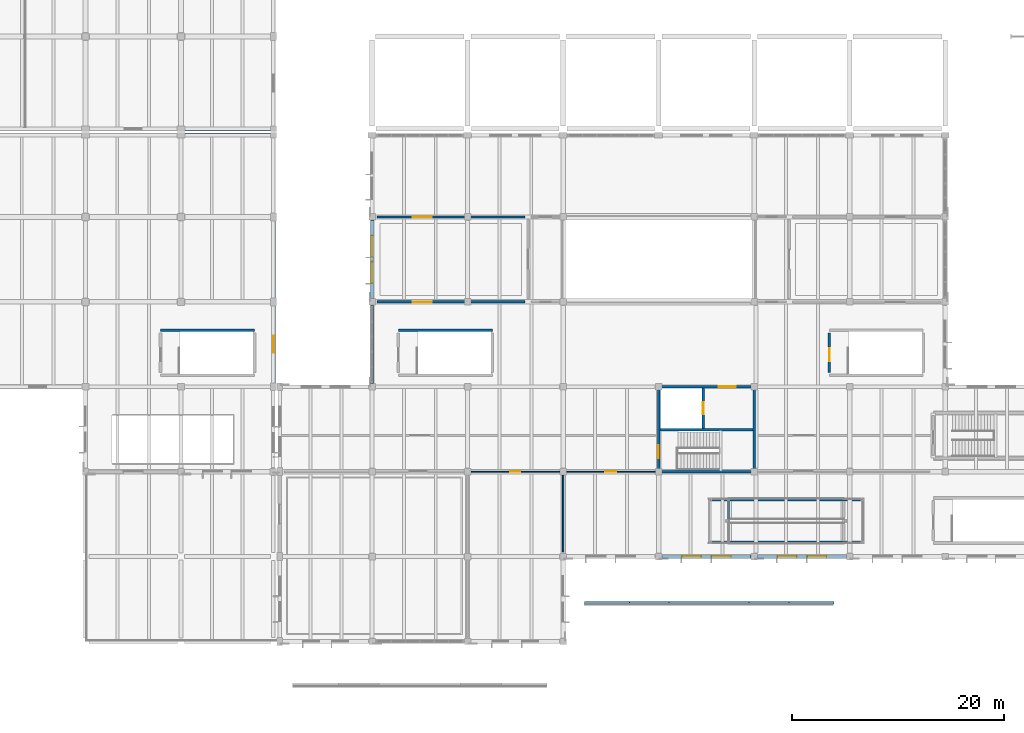
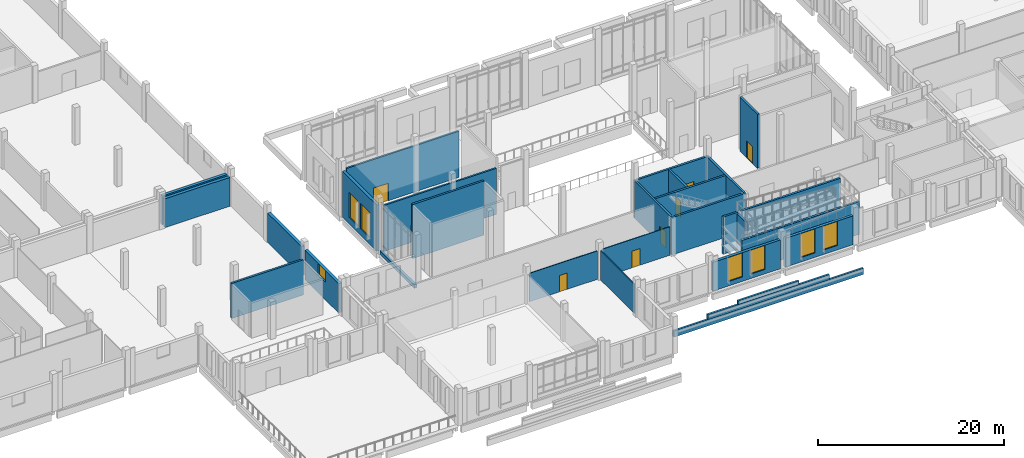
# One storey, part 78 of 110: 28 walls, 8 doors, 7 windows, 15 openings.
"""IFC4 building model written with IfcOpenShell, lengths in metres."""

from ifc_helpers import new_model, si_unit, direction, frame, frame_2d, origin, place, context, subcontext, project, spatial, rectangle, extrude, material, layer, layer_set, type_object, element, fill, save


model = new_model("IFC4")

# Units and contexts
model_context = context("Model", 3, precision=1e-05, world=origin(), true_north=direction((0.0, 1.0)))
body_context = subcontext(model_context, "Body", "Model", "MODEL_VIEW")
ifc_project = project(units=[si_unit("LENGTHUNIT", "METRE"), si_unit("AREAUNIT", "SQUARE_METRE"), si_unit("VOLUMEUNIT", "CUBIC_METRE"), si_unit("PLANEANGLEUNIT", "RADIAN"), si_unit("MASSUNIT", "GRAM", prefix="KILO")], contexts=[model_context])

# Site, building, storey
site_placement = place(None, origin())
site = spatial("IfcSite", under=ifc_project, at=site_placement, CompositionType="ELEMENT")
building_placement = place(site_placement, origin())
building = spatial("IfcBuilding", under=site, at=building_placement, Name="Zacnel Wholesale Market", CompositionType="ELEMENT")
storey_placement = place(building_placement, frame((0.0, 0.0, 6.300048828125)))
storey = spatial("IfcBuildingStorey", under=building, at=storey_placement, Name="L02", CompositionType="ELEMENT", Elevation=6.300048828125)

# Wall, opening, door
ifc_material_1 = material(Name="PIR insulated cold-store panel")
ifc_layer_1 = layer(ifc_material_1, 0.2099609375)
ifc_layer_set_1 = layer_set([ifc_layer_1], Name="PIR insulated cold-store panel")
wall_type_1 = type_object("IfcWallType", Name="WL-COLD-INT210", PredefinedType="STANDARD", material=ifc_layer_set_1)
wall_1_placement = place(storey_placement, frame((81.449951171875, 32.0, 0.0), z_axis=(0.0, 0.0, 1.0), x_axis=(1.0, 0.0, 0.0)))
wall_1 = element("IfcWall", 1, at=wall_1_placement, inside=storey, type_object=wall_type_1, Name="Interior partition L02-0093", PredefinedType="STANDARD", context=body_context, shape_type="SweptSolid", body=[
    extrude(rectangle(XDim=13.949951171875, YDim=0.2099609375, at=frame_2d((6.97509765625, 0.0))), origin(), (0.0, 0.0, 1.0), 6.0400390625),
])
opening_1_placement = place(wall_1_placement, frame((3.375, 0.0, 0.0)))
opening_1 = element("IfcOpeningElement", 2, at=opening_1_placement, cuts=wall_1, Name="Opening FD-03", PredefinedType="OPENING", context=body_context, shape_type="SweptSolid", body=[
    extrude(rectangle(XDim=1.800048828125, YDim=2.300048828125, at=frame_2d((0.89990234375, 1.14990234375))), frame((0.0, 0.114990234375, 0.0), z_axis=(0.0, -1.0, 0.0), x_axis=(1.0, 0.0, 0.0)), (0.0, 0.0, 1.0), 0.22998046875),
])
ifc_material_2 = material(Name="Galvanized steel", Category="steel")
door_type_1 = type_object("IfcDoorType", Name="DR-FIRE-COMP-1800", OperationType="NOTDEFINED", PredefinedType="DOOR", material=ifc_material_2)
door_1_placement = place(opening_1_placement, origin())
door_1 = element("IfcDoor", 3, at=door_1_placement, inside=storey, type_object=door_type_1, Name="Interior door L02-0073", OperationType="SINGLE_SWING_LEFT", OverallHeight=2.300048828125, OverallWidth=1.800048828125, PredefinedType="DOOR", context=body_context, shape_type="SweptSolid", body=[
    extrude(rectangle(XDim=1.800048828125, YDim=2.300048828125, at=frame_2d((0.89990234375, 1.14990234375))), frame((0.0, 0.02490234375, 0.0), z_axis=(0.0, -1.0, 0.0), x_axis=(1.0, 0.0, 0.0)), (0.0, 0.0, 1.0), 0.050048828125),
])
fill(opening_1, door_1)

wall_2_placement = place(storey_placement, frame((81.449951171875, 40.0, 0.0), z_axis=(0.0, 0.0, 1.0), x_axis=(1.0, 0.0, 0.0)))
wall_2 = element("IfcWall", 4, at=wall_2_placement, inside=storey, type_object=wall_type_1, Name="Interior partition L02-0097", PredefinedType="STANDARD", context=body_context, shape_type="SweptSolid", body=[
    extrude(rectangle(XDim=13.949951171875, YDim=0.2099609375, at=frame_2d((6.97509765625, 0.0))), origin(), (0.0, 0.0, 1.0), 6.0400390625),
])
opening_2_placement = place(wall_2_placement, frame((3.375, 0.0, 0.0)))
opening_2 = element("IfcOpeningElement", 5, at=opening_2_placement, cuts=wall_2, Name="Opening FD-03", PredefinedType="OPENING", context=body_context, shape_type="SweptSolid", body=[
    extrude(rectangle(XDim=1.800048828125, YDim=2.300048828125, at=frame_2d((0.89990234375, 1.14990234375))), frame((0.0, 0.114990234375, 0.0), z_axis=(0.0, -1.0, 0.0), x_axis=(1.0, 0.0, 0.0)), (0.0, 0.0, 1.0), 0.22998046875),
])
door_2_placement = place(opening_2_placement, origin())
door_2 = element("IfcDoor", 6, at=door_2_placement, inside=storey, type_object=door_type_1, Name="Interior door L02-0077", OperationType="SINGLE_SWING_LEFT", OverallHeight=2.300048828125, OverallWidth=1.800048828125, PredefinedType="DOOR", context=body_context, shape_type="SweptSolid", body=[
    extrude(rectangle(XDim=1.800048828125, YDim=2.300048828125, at=frame_2d((0.89990234375, 1.14990234375))), frame((0.0, 0.02490234375, 0.0), z_axis=(0.0, -1.0, 0.0), x_axis=(1.0, 0.0, 0.0)), (0.0, 0.0, 1.0), 0.050048828125),
])
fill(opening_2, door_2)

# Wall
ifc_material_3 = material(Name="Concrete C40/50", Category="concrete")
ifc_layer_2 = layer(ifc_material_3, 0.25)
ifc_layer_set_2 = layer_set([ifc_layer_2], Name="Concrete C40/50")
wall_type_2 = type_object("IfcWallType", Name="WL-CORE-SW250", PredefinedType="SOLIDWALL", material=ifc_layer_set_2)
wall_3_placement = place(storey_placement, frame((107.875, 16.0, 0.0), z_axis=(0.0, 0.0, 1.0), x_axis=(1.0, 0.0, 0.0)))
element("IfcWall", 7, at=wall_3_placement, inside=storey, type_object=wall_type_2, Name="Core C8 south shear wall L02", PredefinedType="SOLIDWALL", context=body_context, shape_type="SweptSolid", body=[
    extrude(rectangle(XDim=9.25, YDim=0.25, at=frame_2d((4.625, 0.0))), origin(), (0.0, 0.0, 1.0), 4.89990234375),
])

# Wall, opening, door
wall_4_placement = place(storey_placement, frame((107.875, 24.0, 0.0), z_axis=(0.0, 0.0, 1.0), x_axis=(1.0, 0.0, 0.0)))
wall_4 = element("IfcWall", 8, at=wall_4_placement, inside=storey, type_object=wall_type_2, Name="Core C8 north shear wall L02", PredefinedType="SOLIDWALL", context=body_context, shape_type="SweptSolid", body=[
    extrude(rectangle(XDim=9.25, YDim=0.25, at=frame_2d((4.625, 0.0))), origin(), (0.0, 0.0, 1.0), 4.89990234375),
])
opening_3_placement = place(wall_4_placement, frame((5.77490234375, 0.0, 0.0)))
opening_3 = element("IfcOpeningElement", 9, at=opening_3_placement, cuts=wall_4, Name="Opening FD-02", PredefinedType="OPENING", context=body_context, shape_type="SweptSolid", body=[
    extrude(rectangle(XDim=1.60009765625, YDim=2.199951171875, at=frame_2d((0.800048828125, 1.10009765625))), frame((0.0, 0.135009765625, 0.0), z_axis=(0.0, -1.0, 0.0), x_axis=(1.0, 0.0, 0.0)), (0.0, 0.0, 1.0), 0.27001953125),
])
ifc_material_4 = material(Name="Galvanized steel", Category="steel")
door_type_2 = type_object("IfcDoorType", Name="DR-FIRE-LOBBY-1600", OperationType="NOTDEFINED", PredefinedType="DOOR", material=ifc_material_4)
door_3_placement = place(opening_3_placement, origin())
door_3 = element("IfcDoor", 10, at=door_3_placement, inside=storey, type_object=door_type_2, Name="Core lift lobby fire door C8 L02", OperationType="SINGLE_SWING_LEFT", OverallHeight=2.199951171875, OverallWidth=1.60009765625, PredefinedType="DOOR", context=body_context, shape_type="SweptSolid", body=[
    extrude(rectangle(XDim=1.60009765625, YDim=2.199951171875, at=frame_2d((0.800048828125, 1.10009765625))), frame((0.0, 0.02490234375, 0.0), z_axis=(0.0, -1.0, 0.0), x_axis=(1.0, 0.0, 0.0)), (0.0, 0.0, 1.0), 0.050048828125),
])
fill(opening_3, door_3)

wall_5_placement = place(storey_placement, frame((108.0, 16.125, 0.0), z_axis=(0.0, 0.0, 1.0), x_axis=(0.0, 1.0, 0.0)))
wall_5 = element("IfcWall", 11, at=wall_5_placement, inside=storey, type_object=wall_type_2, Name="Core C8 west shear wall L02", PredefinedType="SOLIDWALL", context=body_context, shape_type="SweptSolid", body=[
    extrude(rectangle(XDim=7.75, YDim=0.25, at=frame_2d((3.875, 0.0))), origin(), (0.0, 0.0, 1.0), 4.89990234375),
])
opening_4_placement = place(wall_5_placement, frame((1.14990234375, 0.0, 0.0)))
opening_4 = element("IfcOpeningElement", 12, at=opening_4_placement, cuts=wall_5, Name="Opening FD-01", PredefinedType="OPENING", context=body_context, shape_type="SweptSolid", body=[
    extrude(rectangle(XDim=1.199951171875, YDim=2.199951171875, at=frame_2d((0.60009765625, 1.10009765625))), frame((0.0, 0.135009765625, 0.0), z_axis=(0.0, -1.0, 0.0), x_axis=(1.0, 0.0, 0.0)), (0.0, 0.0, 1.0), 0.27001953125),
])
ifc_material_5 = material(Name="Galvanized steel", Category="steel")
door_type_3 = type_object("IfcDoorType", Name="DR-FIRE-STAIR-1200", OperationType="NOTDEFINED", PredefinedType="DOOR", material=ifc_material_5)
door_4_placement = place(opening_4_placement, origin())
door_4 = element("IfcDoor", 13, at=door_4_placement, inside=storey, type_object=door_type_3, Name="Protected stair fire door C8 L02", OperationType="SINGLE_SWING_RIGHT", OverallHeight=2.199951171875, OverallWidth=1.199951171875, PredefinedType="DOOR", context=body_context, shape_type="SweptSolid", body=[
    extrude(rectangle(XDim=1.199951171875, YDim=2.199951171875, at=frame_2d((0.60009765625, 1.10009765625))), frame((0.0, 0.02490234375, 0.0), z_axis=(0.0, -1.0, 0.0), x_axis=(1.0, 0.0, 0.0)), (0.0, 0.0, 1.0), 0.050048828125),
])
fill(opening_4, door_4)

# Walls
wall_6_placement = place(storey_placement, frame((117.0, 16.125, 0.0), z_axis=(0.0, 0.0, 1.0), x_axis=(0.0, 1.0, 0.0)))
element("IfcWall", 14, at=wall_6_placement, inside=storey, type_object=wall_type_2, Name="Core C8 east shear wall L02", PredefinedType="SOLIDWALL", context=body_context, shape_type="SweptSolid", body=[
    extrude(rectangle(XDim=7.75, YDim=0.25, at=frame_2d((3.875, 0.0))), origin(), (0.0, 0.0, 1.0), 4.89990234375),
])
wall_7_placement = place(storey_placement, frame((108.125, 19.949951171875, 0.0), z_axis=(0.0, 0.0, 1.0), x_axis=(1.0, 0.0, 0.0)))
element("IfcWall", 15, at=wall_7_placement, inside=storey, type_object=wall_type_2, Name="Core C8 stair-shaft shear wall L02", PredefinedType="SOLIDWALL", context=body_context, shape_type="SweptSolid", body=[
    extrude(rectangle(XDim=8.75, YDim=0.25, at=frame_2d((4.375, 0.0))), origin(), (0.0, 0.0, 1.0), 4.89990234375),
])

# Wall, opening, door
wall_8_placement = place(storey_placement, frame((112.199951171875, 20.074951171875, 0.0), z_axis=(0.0, 0.0, 1.0), x_axis=(0.0, 1.0, 0.0)))
wall_8 = element("IfcWall", 16, at=wall_8_placement, inside=storey, type_object=wall_type_2, Name="Core C8 lift shaft front wall L02", PredefinedType="SOLIDWALL", context=body_context, shape_type="SweptSolid", body=[
    extrude(rectangle(XDim=3.800048828125, YDim=0.25, at=frame_2d((1.89990234375, 0.0))), origin(), (0.0, 0.0, 1.0), 4.89990234375),
])
opening_5_placement = place(wall_8_placement, frame((1.35009765625, 0.0, 0.0)))
opening_5 = element("IfcOpeningElement", 17, at=opening_5_placement, cuts=wall_8, Name="Opening LD-01", PredefinedType="OPENING", context=body_context, shape_type="SweptSolid", body=[
    extrude(rectangle(XDim=1.10009765625, YDim=2.199951171875, at=frame_2d((0.550048828125, 1.10009765625))), frame((0.0, 0.135009765625, 0.0), z_axis=(0.0, -1.0, 0.0), x_axis=(1.0, 0.0, 0.0)), (0.0, 0.0, 1.0), 0.27001953125),
])
ifc_material_6 = material(Name="Galvanized steel", Category="steel")
door_type_4 = type_object("IfcDoorType", Name="DR-LIFT-PASS-1100", OperationType="NOTDEFINED", PredefinedType="DOOR", material=ifc_material_6)
door_5_placement = place(opening_5_placement, origin())
door_5 = element("IfcDoor", 18, at=door_5_placement, inside=storey, type_object=door_type_4, Name="Lift landing door LP-04 L02", OperationType="SLIDING_TO_LEFT", OverallHeight=2.199951171875, OverallWidth=1.10009765625, PredefinedType="DOOR", context=body_context, shape_type="SweptSolid", body=[
    extrude(rectangle(XDim=1.10009765625, YDim=2.199951171875, at=frame_2d((0.550048828125, 1.10009765625))), frame((0.0, 0.02490234375, 0.0), z_axis=(0.0, -1.0, 0.0), x_axis=(1.0, 0.0, 0.0)), (0.0, 0.0, 1.0), 0.050048828125),
])
fill(opening_5, door_5)

# Wall
wall_9_placement = place(storey_placement, frame((83.47509765625, 29.324951171875, 0.0), z_axis=(0.0, 0.0, 1.0), x_axis=(1.0, 0.0, 0.0)))
element("IfcWall", 19, at=wall_9_placement, inside=storey, type_object=wall_type_2, Name="Stair ST-18 north enclosure wall L02", PredefinedType="SOLIDWALL", context=body_context, shape_type="SweptSolid", body=[
    extrude(rectangle(XDim=8.849853515625, YDim=0.25, at=frame_2d((4.4248046875, 0.0))), origin(), (0.0, 0.0, 1.0), 7.08984375),
])

# Wall, opening, door
wall_10_placement = place(storey_placement, frame((124.074951171875, 25.324951171875, 0.0), z_axis=(0.0, 0.0, 1.0), x_axis=(0.0, 1.0, 0.0)))
wall_10 = element("IfcWall", 20, at=wall_10_placement, inside=storey, type_object=wall_type_2, Name="Stair ST-19 west enclosure wall L02", PredefinedType="SOLIDWALL", context=body_context, shape_type="SweptSolid", body=[
    extrude(rectangle(XDim=3.75, YDim=0.25, at=frame_2d((1.875, 0.0))), origin(), (0.0, 0.0, 1.0), 7.08984375),
])
opening_6_placement = place(wall_10_placement, frame((1.10009765625, 0.0, 0.0)))
opening_6 = element("IfcOpeningElement", 21, at=opening_6_placement, cuts=wall_10, Name="Opening FD-01", PredefinedType="OPENING", context=body_context, shape_type="SweptSolid", body=[
    extrude(rectangle(XDim=1.199951171875, YDim=2.199951171875, at=frame_2d((0.60009765625, 1.10009765625))), frame((0.0, 0.135009765625, 0.0), z_axis=(0.0, -1.0, 0.0), x_axis=(1.0, 0.0, 0.0)), (0.0, 0.0, 1.0), 0.27001953125),
])
door_6_placement = place(opening_6_placement, origin())
door_6 = element("IfcDoor", 22, at=door_6_placement, inside=storey, type_object=door_type_3, Name="Stair ST-19 fire door L02", OperationType="SINGLE_SWING_RIGHT", OverallHeight=2.199951171875, OverallWidth=1.199951171875, PredefinedType="DOOR", context=body_context, shape_type="SweptSolid", body=[
    extrude(rectangle(XDim=1.199951171875, YDim=2.199951171875, at=frame_2d((0.60009765625, 1.10009765625))), frame((0.0, 0.02490234375, 0.0), z_axis=(0.0, -1.0, 0.0), x_axis=(1.0, 0.0, 0.0)), (0.0, 0.0, 1.0), 0.050048828125),
])
fill(opening_6, door_6)

# Walls
wall_11_placement = place(storey_placement, frame((61.074951171875, 29.324951171875, 0.0), z_axis=(0.0, 0.0, 1.0), x_axis=(1.0, 0.0, 0.0)))
element("IfcWall", 23, at=wall_11_placement, inside=storey, type_object=wall_type_2, Name="Stair ST-23 north enclosure wall L02", PredefinedType="SOLIDWALL", context=body_context, shape_type="SweptSolid", body=[
    extrude(rectangle(XDim=8.85009765625, YDim=0.25, at=frame_2d((4.425048828125, 0.0))), origin(), (0.0, 0.0, 1.0), 4.599853515625),
])
wall_12_placement = place(storey_placement, frame((112.75, 9.330078125, 0.0), z_axis=(0.0, 0.0, 1.0), x_axis=(1.0, 0.0, 0.0)))
element("IfcWall", 24, at=wall_12_placement, inside=storey, type_object=wall_type_2, Name="Accessible ramp RP-04 (RMP-PROM-2) Mayan limestone plinth wall S", PredefinedType="SOLIDWALL", context=body_context, shape_type="SweptSolid", body=[
    extrude(rectangle(XDim=14.541015625, YDim=0.25, at=frame_2d((7.2705078125, 0.0))), origin(), (0.0, 0.0, 1.0), 4.267333984375),
])
wall_13_placement = place(storey_placement, frame((112.75, 13.3701171875, 0.0), z_axis=(0.0, 0.0, 1.0), x_axis=(1.0, 0.0, 0.0)))
element("IfcWall", 25, at=wall_13_placement, inside=storey, type_object=wall_type_2, Name="Accessible ramp RP-04 (RMP-PROM-2) Mayan limestone plinth wall N", PredefinedType="SOLIDWALL", context=body_context, shape_type="SweptSolid", body=[
    extrude(rectangle(XDim=14.541015625, YDim=0.25, at=frame_2d((7.2705078125, 0.0))), origin(), (0.0, 0.0, 1.0), 4.8798828125),
])
wall_14_placement = place(storey_placement, frame((114.60009765625, 11.550048828125, 0.0), z_axis=(0.0, 0.0, 1.0), x_axis=(0.0, 1.0, 0.0)))
element("IfcWall", 26, at=wall_14_placement, inside=storey, type_object=wall_type_2, Name="Accessible ramp RP-04 (RMP-PROM-2) end plinth wall 8", PredefinedType="SOLIDWALL", context=body_context, shape_type="SweptSolid", body=[
    extrude(rectangle(XDim=1.695068359375, YDim=0.25, at=frame_2d((0.84765625, 0.0))), origin(), (0.0, 0.0, 1.0), 4.68505859375),
])
ifc_material_7 = material(Name="Precast concrete C40/50 (insulated sandwich panel)", Category="concrete")
ifc_layer_3 = layer(ifc_material_7, 0.3798828125)
ifc_layer_set_3 = layer_set([ifc_layer_3], Name="Precast concrete C40/50 (insulated sandwich panel)")
wall_type_3 = type_object("IfcWallType", Name="WL-EXT-COLD-380", PredefinedType="SOLIDWALL", material=ifc_layer_set_3)
wall_15_placement = place(storey_placement, frame((63.375, 47.699951171875, 0.0), z_axis=(0.0, 0.0, 1.0), x_axis=(1.0, 0.0, 0.0)))
element("IfcWall", 27, at=wall_15_placement, inside=storey, type_object=wall_type_3, Name="Exterior wall L02-0185", PredefinedType="SOLIDWALL", context=body_context, shape_type="SweptSolid", body=[
    extrude(rectangle(XDim=8.050048828125, YDim=0.3798828125, at=frame_2d((4.02490234375, 0.0))), origin(), (0.0, 0.0, 1.0), 3.780029296875),
])

# Wall, opening, window
wall_16_placement = place(storey_placement, frame((71.699951171875, 24.375, 0.0), z_axis=(0.0, 0.0, 1.0), x_axis=(0.0, 1.0, 0.0)))
wall_16 = element("IfcWall", 28, at=wall_16_placement, inside=storey, type_object=wall_type_3, Name="Exterior wall L02-0189", PredefinedType="SOLIDWALL", context=body_context, shape_type="SweptSolid", body=[
    extrude(rectangle(XDim=7.25, YDim=0.3798828125, at=frame_2d((3.625, 0.0))), origin(), (0.0, 0.0, 1.0), 3.849853515625),
])
opening_7_placement = place(wall_16_placement, frame((2.824951171875, 0.0, 2.360107421875)))
opening_7 = element("IfcOpeningElement", 29, at=opening_7_placement, cuts=wall_16, Name="Opening W-06", PredefinedType="OPENING", context=body_context, shape_type="SweptSolid", body=[
    extrude(rectangle(XDim=1.60009765625, YDim=1.449951171875, at=frame_2d((0.800048828125, 0.72509765625))), frame((0.0, 0.199951171875, 0.0), z_axis=(0.0, -1.0, 0.0), x_axis=(1.0, 0.0, 0.0)), (0.0, 0.0, 1.0), 0.39990234375),
])
ifc_material_8 = material(Name="Laminated hurricane-impact low-E insulated glass", Category="glass")
window_type_1 = type_object("IfcWindowType", Name="WIN-HIG-1600X1450", PartitioningType="DOUBLE_PANEL_HORIZONTAL", PredefinedType="WINDOW", material=ifc_material_8)
window_1_placement = place(opening_7_placement, origin())
window_1 = element("IfcWindow", 30, at=window_1_placement, inside=storey, type_object=window_type_1, Name="Window L02-0194", OverallHeight=1.449951171875, OverallWidth=1.60009765625, PartitioningType="DOUBLE_PANEL_HORIZONTAL", PredefinedType="WINDOW", context=body_context, shape_type="SweptSolid", body=[
    extrude(rectangle(XDim=1.60009765625, YDim=1.449951171875, at=frame_2d((0.800048828125, 0.72509765625))), frame((0.0, 0.030029296875, 0.0), z_axis=(0.0, -1.0, 0.0), x_axis=(1.0, 0.0, 0.0)), (0.0, 0.0, 1.0), 0.06005859375),
])
fill(opening_7, window_1)

# Walls
wall_17_placement = place(storey_placement, frame((71.699951171875, 32.375, 0.0), z_axis=(0.0, 0.0, 1.0), x_axis=(0.0, 1.0, 0.0)))
element("IfcWall", 31, at=wall_17_placement, inside=storey, type_object=wall_type_3, Name="Exterior wall L02-0190", PredefinedType="SOLIDWALL", context=body_context, shape_type="SweptSolid", body=[
    extrude(rectangle(XDim=7.25, YDim=0.3798828125, at=frame_2d((3.625, 0.0))), origin(), (0.0, 0.0, 1.0), 3.849853515625),
])
wall_18_placement = place(storey_placement, frame((63.375, 48.300048828125, 0.0), z_axis=(0.0, 0.0, 1.0), x_axis=(1.0, 0.0, 0.0)))
element("IfcWall", 32, at=wall_18_placement, inside=storey, type_object=wall_type_3, Name="Exterior wall L02-0197", PredefinedType="SOLIDWALL", context=body_context, shape_type="SweptSolid", body=[
    extrude(rectangle(XDim=8.050048828125, YDim=0.3798828125, at=frame_2d((4.02490234375, 0.0))), origin(), (0.0, 0.0, 1.0), 3.780029296875),
])
ifc_material_9 = material(Name="Precast concrete C40/50 (Cancun limestone aggregate)", Category="masonry")
ifc_layer_4 = layer(ifc_material_9, 0.300048828125)
ifc_layer_set_4 = layer_set([ifc_layer_4], Name="Precast concrete C40/50 (Cancun limestone aggregate)")
wall_type_4 = type_object("IfcWallType", Name="WL-EXT-LIME-300", PredefinedType="SOLIDWALL", material=ifc_layer_set_4)
wall_19_placement = place(storey_placement, frame((81.0, 24.300048828125, 0.0), z_axis=(0.0, 0.0, 1.0), x_axis=(0.0, 1.0, 0.0)))
element("IfcWall", 33, at=wall_19_placement, inside=storey, type_object=wall_type_4, Name="Curtain-wall limestone plinth L02-0013", PredefinedType="SOLIDWALL", context=body_context, shape_type="SweptSolid", body=[
    extrude(rectangle(XDim=7.39990234375, YDim=0.300048828125, at=frame_2d((3.699951171875, 0.0))), origin(), (0.0, 0.0, 1.0), 0.449951171875),
])

# Wall, openings, windows
ifc_material_10 = material(Name="Precast concrete C40/50 (Cancun limestone aggregate)", Category="masonry")
ifc_layer_5 = layer(ifc_material_10, 0.340087890625)
ifc_layer_set_5 = layer_set([ifc_layer_5], Name="Precast concrete C40/50 (Cancun limestone aggregate)")
wall_type_5 = type_object("IfcWallType", Name="WL-EXT-LIME-340", PredefinedType="SOLIDWALL", material=ifc_layer_set_5)
wall_20_placement = place(storey_placement, frame((108.300048828125, 8.0, 0.0), z_axis=(0.0, 0.0, 1.0), x_axis=(1.0, 0.0, 0.0)))
wall_20 = element("IfcWall", 34, at=wall_20_placement, inside=storey, type_object=wall_type_5, Name="Exterior wall L02-0246", PredefinedType="SOLIDWALL", context=body_context, shape_type="SweptSolid", body=[
    extrude(rectangle(XDim=8.39990234375, YDim=0.340087890625, at=frame_2d((4.199951171875, 0.0))), origin(), (0.0, 0.0, 1.0), 3.780029296875),
])
opening_8_placement = place(wall_20_placement, frame((1.89990234375, 0.0, 0.590087890625)))
opening_8 = element("IfcOpeningElement", 35, at=opening_8_placement, cuts=wall_20, Name="Opening W-03", PredefinedType="OPENING", context=body_context, shape_type="SweptSolid", body=[
    extrude(rectangle(XDim=1.800048828125, YDim=3.14990234375, at=frame_2d((0.89990234375, 1.574951171875))), frame((0.0, 0.179931640625, 0.0), z_axis=(0.0, -1.0, 0.0), x_axis=(1.0, 0.0, 0.0)), (0.0, 0.0, 1.0), 0.360107421875),
])
opening_9_placement = place(wall_20_placement, frame((4.699951171875, 0.0, 0.590087890625)))
opening_9 = element("IfcOpeningElement", 36, at=opening_9_placement, cuts=wall_20, Name="Opening W-03", PredefinedType="OPENING", context=body_context, shape_type="SweptSolid", body=[
    extrude(rectangle(XDim=1.800048828125, YDim=3.14990234375, at=frame_2d((0.89990234375, 1.574951171875))), frame((0.0, 0.179931640625, 0.0), z_axis=(0.0, -1.0, 0.0), x_axis=(1.0, 0.0, 0.0)), (0.0, 0.0, 1.0), 0.360107421875),
])
ifc_material_11 = material(Name="Laminated hurricane-impact low-E insulated glass", Category="glass")
window_type_2 = type_object("IfcWindowType", Name="WIN-DEC-1800X3150", PartitioningType="DOUBLE_PANEL_VERTICAL", PredefinedType="WINDOW", material=ifc_material_11)
window_2_placement = place(opening_8_placement, origin())
window_2 = element("IfcWindow", 37, at=window_2_placement, inside=storey, type_object=window_type_2, Name="Window L02-0227", OverallHeight=3.14990234375, OverallWidth=1.800048828125, PartitioningType="DOUBLE_PANEL_VERTICAL", PredefinedType="WINDOW", context=body_context, shape_type="SweptSolid", body=[
    extrude(rectangle(XDim=1.800048828125, YDim=3.14990234375, at=frame_2d((0.89990234375, 1.574951171875))), frame((0.0, 0.030029296875, 0.0), z_axis=(0.0, -1.0, 0.0), x_axis=(1.0, 0.0, 0.0)), (0.0, 0.0, 1.0), 0.06005859375),
])
fill(opening_8, window_2)
window_3_placement = place(opening_9_placement, origin())
window_3 = element("IfcWindow", 38, at=window_3_placement, inside=storey, type_object=window_type_2, Name="Window L02-0228", OverallHeight=3.14990234375, OverallWidth=1.800048828125, PartitioningType="DOUBLE_PANEL_VERTICAL", PredefinedType="WINDOW", context=body_context, shape_type="SweptSolid", body=[
    extrude(rectangle(XDim=1.800048828125, YDim=3.14990234375, at=frame_2d((0.89990234375, 1.574951171875))), frame((0.0, 0.030029296875, 0.0), z_axis=(0.0, -1.0, 0.0), x_axis=(1.0, 0.0, 0.0)), (0.0, 0.0, 1.0), 0.06005859375),
])
fill(opening_9, window_3)

wall_21_placement = place(storey_placement, frame((117.300048828125, 8.0, 0.0), z_axis=(0.0, 0.0, 1.0), x_axis=(1.0, 0.0, 0.0)))
wall_21 = element("IfcWall", 39, at=wall_21_placement, inside=storey, type_object=wall_type_5, Name="Exterior wall L02-0247", PredefinedType="SOLIDWALL", context=body_context, shape_type="SweptSolid", body=[
    extrude(rectangle(XDim=8.39990234375, YDim=0.340087890625, at=frame_2d((4.199951171875, 0.0))), origin(), (0.0, 0.0, 1.0), 3.780029296875),
])
opening_10_placement = place(wall_21_placement, frame((1.89990234375, 0.0, 0.590087890625)))
opening_10 = element("IfcOpeningElement", 40, at=opening_10_placement, cuts=wall_21, Name="Opening W-03", PredefinedType="OPENING", context=body_context, shape_type="SweptSolid", body=[
    extrude(rectangle(XDim=1.800048828125, YDim=3.14990234375, at=frame_2d((0.89990234375, 1.574951171875))), frame((0.0, 0.179931640625, 0.0), z_axis=(0.0, -1.0, 0.0), x_axis=(1.0, 0.0, 0.0)), (0.0, 0.0, 1.0), 0.360107421875),
])
opening_11_placement = place(wall_21_placement, frame((4.699951171875, 0.0, 0.590087890625)))
opening_11 = element("IfcOpeningElement", 41, at=opening_11_placement, cuts=wall_21, Name="Opening W-03", PredefinedType="OPENING", context=body_context, shape_type="SweptSolid", body=[
    extrude(rectangle(XDim=1.800048828125, YDim=3.14990234375, at=frame_2d((0.89990234375, 1.574951171875))), frame((0.0, 0.179931640625, 0.0), z_axis=(0.0, -1.0, 0.0), x_axis=(1.0, 0.0, 0.0)), (0.0, 0.0, 1.0), 0.360107421875),
])
window_4_placement = place(opening_10_placement, origin())
window_4 = element("IfcWindow", 42, at=window_4_placement, inside=storey, type_object=window_type_2, Name="Window L02-0229", OverallHeight=3.14990234375, OverallWidth=1.800048828125, PartitioningType="DOUBLE_PANEL_VERTICAL", PredefinedType="WINDOW", context=body_context, shape_type="SweptSolid", body=[
    extrude(rectangle(XDim=1.800048828125, YDim=3.14990234375, at=frame_2d((0.89990234375, 1.574951171875))), frame((0.0, 0.030029296875, 0.0), z_axis=(0.0, -1.0, 0.0), x_axis=(1.0, 0.0, 0.0)), (0.0, 0.0, 1.0), 0.06005859375),
])
fill(opening_10, window_4)
window_5_placement = place(opening_11_placement, origin())
window_5 = element("IfcWindow", 43, at=window_5_placement, inside=storey, type_object=window_type_2, Name="Window L02-0230", OverallHeight=3.14990234375, OverallWidth=1.800048828125, PartitioningType="DOUBLE_PANEL_VERTICAL", PredefinedType="WINDOW", context=body_context, shape_type="SweptSolid", body=[
    extrude(rectangle(XDim=1.800048828125, YDim=3.14990234375, at=frame_2d((0.89990234375, 1.574951171875))), frame((0.0, 0.030029296875, 0.0), z_axis=(0.0, -1.0, 0.0), x_axis=(1.0, 0.0, 0.0)), (0.0, 0.0, 1.0), 0.06005859375),
])
fill(opening_11, window_5)

wall_22_placement = place(storey_placement, frame((81.0, 32.300048828125, 0.0), z_axis=(0.0, 0.0, 1.0), x_axis=(0.0, 1.0, 0.0)))
wall_22 = element("IfcWall", 44, at=wall_22_placement, inside=storey, type_object=wall_type_5, Name="Exterior wall L02-0256", PredefinedType="SOLIDWALL", context=body_context, shape_type="SweptSolid", body=[
    extrude(rectangle(XDim=7.39990234375, YDim=0.340087890625, at=frame_2d((3.699951171875, 0.0))), origin(), (0.0, 0.0, 1.0), 6.0400390625),
])
opening_12_placement = place(wall_22_placement, frame((1.467041015625, 0.0, 0.85009765625)))
opening_12 = element("IfcOpeningElement", 45, at=opening_12_placement, cuts=wall_22, Name="Opening W-02", PredefinedType="OPENING", context=body_context, shape_type="SweptSolid", body=[
    extrude(rectangle(XDim=2.0, YDim=3.300048828125, at=frame_2d((1.0, 1.64990234375))), frame((0.0, 0.179931640625, 0.0), z_axis=(0.0, -1.0, 0.0), x_axis=(1.0, 0.0, 0.0)), (0.0, 0.0, 1.0), 0.360107421875),
])
opening_13_placement = place(wall_22_placement, frame((3.93310546875, 0.0, 0.85009765625)))
opening_13 = element("IfcOpeningElement", 46, at=opening_13_placement, cuts=wall_22, Name="Opening W-02", PredefinedType="OPENING", context=body_context, shape_type="SweptSolid", body=[
    extrude(rectangle(XDim=2.0, YDim=3.300048828125, at=frame_2d((1.0, 1.64990234375))), frame((0.0, 0.179931640625, 0.0), z_axis=(0.0, -1.0, 0.0), x_axis=(1.0, 0.0, 0.0)), (0.0, 0.0, 1.0), 0.360107421875),
])
ifc_material_12 = material(Name="Laminated hurricane-impact low-E insulated glass", Category="glass")
window_type_3 = type_object("IfcWindowType", Name="WIN-DEC-2000X3300", PartitioningType="DOUBLE_PANEL_VERTICAL", PredefinedType="WINDOW", material=ifc_material_12)
window_6_placement = place(opening_12_placement, origin())
window_6 = element("IfcWindow", 47, at=window_6_placement, inside=storey, type_object=window_type_3, Name="Window L02-0247", OverallHeight=3.300048828125, OverallWidth=2.0, PartitioningType="DOUBLE_PANEL_VERTICAL", PredefinedType="WINDOW", context=body_context, shape_type="SweptSolid", body=[
    extrude(rectangle(XDim=2.0, YDim=3.300048828125, at=frame_2d((1.0, 1.64990234375))), frame((0.0, 0.030029296875, 0.0), z_axis=(0.0, -1.0, 0.0), x_axis=(1.0, 0.0, 0.0)), (0.0, 0.0, 1.0), 0.06005859375),
])
fill(opening_12, window_6)
window_7_placement = place(opening_13_placement, origin())
window_7 = element("IfcWindow", 48, at=window_7_placement, inside=storey, type_object=window_type_3, Name="Window L02-0248", OverallHeight=3.300048828125, OverallWidth=2.0, PartitioningType="DOUBLE_PANEL_VERTICAL", PredefinedType="WINDOW", context=body_context, shape_type="SweptSolid", body=[
    extrude(rectangle(XDim=2.0, YDim=3.300048828125, at=frame_2d((1.0, 1.64990234375))), frame((0.0, 0.030029296875, 0.0), z_axis=(0.0, -1.0, 0.0), x_axis=(1.0, 0.0, 0.0)), (0.0, 0.0, 1.0), 0.06005859375),
])
fill(opening_13, window_7)

# Walls
ifc_material_13 = material(Name="Precast concrete C40/50 (Cancun limestone aggregate)", Category="masonry")
ifc_layer_6 = layer(ifc_material_13, 0.25)
ifc_layer_set_6 = layer_set([ifc_layer_6], Name="Precast concrete C40/50 (Cancun limestone aggregate)")
wall_type_6 = type_object("IfcWallType", Name="WL-PAR-ZIG-250", PredefinedType="PARAPET", material=ifc_layer_set_6)
wall_23_placement = place(storey_placement, frame((101.0, 3.64990234375, -0.85009765625), z_axis=(0.0, 0.0, 1.0), x_axis=(1.0, 0.0, 0.0)))
element("IfcWall", 49, at=wall_23_placement, inside=storey, type_object=wall_type_6, Name="Mayan-Art-Deco stepped portal crown ENV-CRN-V4FLW-1", PredefinedType="PARAPET", context=body_context, shape_type="SweptSolid", body=[
    extrude(rectangle(XDim=23.5, YDim=0.25, at=frame_2d((11.75, 0.0))), origin(), (0.0, 0.0, 1.0), 0.800048828125),
])
wall_24_placement = place(storey_placement, frame((105.22998046875, 3.64990234375, -0.050048828125), z_axis=(0.0, 0.0, 1.0), x_axis=(1.0, 0.0, 0.0)))
element("IfcWall", 50, at=wall_24_placement, inside=storey, type_object=wall_type_6, Name="Mayan-Art-Deco stepped portal crown ENV-CRN-V4FLW-2", PredefinedType="PARAPET", context=body_context, shape_type="SweptSolid", body=[
    extrude(rectangle(XDim=15.0400390625, YDim=0.25, at=frame_2d((7.52001953125, 0.0))), origin(), (0.0, 0.0, 1.0), 0.64990234375),
])
wall_25_placement = place(storey_placement, frame((108.989990234375, 3.64990234375, 0.599853515625), z_axis=(0.0, 0.0, 1.0), x_axis=(1.0, 0.0, 0.0)))
element("IfcWall", 51, at=wall_25_placement, inside=storey, type_object=wall_type_6, Name="Mayan-Art-Deco stepped portal crown ENV-CRN-V4FLW-3", PredefinedType="PARAPET", context=body_context, shape_type="SweptSolid", body=[
    extrude(rectangle(XDim=7.52001953125, YDim=0.25, at=frame_2d((3.760009765625, 0.0))), origin(), (0.0, 0.0, 1.0), 0.5),
])

# Wall, opening, door
ifc_material_14 = material(Name="Moisture-resistant gypsum board partition")
ifc_layer_7 = layer(ifc_material_14, 0.10009765625)
ifc_layer_set_7 = layer_set([ifc_layer_7], Name="Moisture-resistant gypsum board partition")
wall_type_7 = type_object("IfcWallType", Name="WL-PART-GYP100", PredefinedType="PARTITIONING", material=ifc_layer_set_7)
wall_26_placement = place(storey_placement, frame((99.300048828125, 16.0, 0.0), z_axis=(0.0, 0.0, 1.0), x_axis=(1.0, 0.0, 0.0)))
wall_26 = element("IfcWall", 52, at=wall_26_placement, inside=storey, type_object=wall_type_7, Name="Interior partition L02-0088", PredefinedType="PARTITIONING", context=body_context, shape_type="SweptSolid", body=[
    extrude(rectangle(XDim=8.39990234375, YDim=0.10009765625, at=frame_2d((4.199951171875, 0.0))), origin(), (0.0, 0.0, 1.0), 3.72998046875),
])
opening_14_placement = place(wall_26_placement, frame((3.68994140625, 0.0, 0.0)))
opening_14 = element("IfcOpeningElement", 53, at=opening_14_placement, cuts=wall_26, Name="Opening ID-12", PredefinedType="OPENING", context=body_context, shape_type="SweptSolid", body=[
    extrude(rectangle(XDim=1.02001953125, YDim=2.179931640625, at=frame_2d((0.510009765625, 1.08984375))), frame((0.0, 0.06005859375, 0.0), z_axis=(0.0, -1.0, 0.0), x_axis=(1.0, 0.0, 0.0)), (0.0, 0.0, 1.0), 0.1201171875),
])
ifc_material_15 = material(Name="Solid-core tropical hardwood door", Category="wood")
door_type_5 = type_object("IfcDoorType", Name="DR-OFF-SGL-1020", OperationType="NOTDEFINED", PredefinedType="DOOR", material=ifc_material_15)
door_7_placement = place(opening_14_placement, origin())
door_7 = element("IfcDoor", 54, at=door_7_placement, inside=storey, type_object=door_type_5, Name="Interior door L02-0070", OperationType="SINGLE_SWING_LEFT", OverallHeight=2.179931640625, OverallWidth=1.02001953125, PredefinedType="DOOR", context=body_context, shape_type="SweptSolid", body=[
    extrude(rectangle(XDim=1.02001953125, YDim=2.179931640625, at=frame_2d((0.510009765625, 1.08984375))), frame((0.0, 0.02490234375, 0.0), z_axis=(0.0, -1.0, 0.0), x_axis=(1.0, 0.0, 0.0)), (0.0, 0.0, 1.0), 0.050048828125),
])
fill(opening_14, door_7)

ifc_material_16 = material(Name="Moisture-resistant gypsum board partition")
ifc_layer_8 = layer(ifc_material_16, 0.110107421875)
ifc_layer_set_8 = layer_set([ifc_layer_8], Name="Moisture-resistant gypsum board partition")
wall_type_8 = type_object("IfcWallType", Name="WL-PART-GYP110", PredefinedType="PARTITIONING", material=ifc_layer_set_8)
wall_27_placement = place(storey_placement, frame((90.300048828125, 16.0, 0.0), z_axis=(0.0, 0.0, 1.0), x_axis=(1.0, 0.0, 0.0)))
wall_27 = element("IfcWall", 55, at=wall_27_placement, inside=storey, type_object=wall_type_8, Name="Interior partition L02-0087", PredefinedType="PARTITIONING", context=body_context, shape_type="SweptSolid", body=[
    extrude(rectangle(XDim=8.39990234375, YDim=0.110107421875, at=frame_2d((4.199951171875, 0.0))), origin(), (0.0, 0.0, 1.0), 3.72998046875),
])
opening_15_placement = place(wall_27_placement, frame((3.72998046875, 0.0, 0.0)))
opening_15 = element("IfcOpeningElement", 56, at=opening_15_placement, cuts=wall_27, Name="Opening ID-11", PredefinedType="OPENING", context=body_context, shape_type="SweptSolid", body=[
    extrude(rectangle(XDim=0.93994140625, YDim=2.139892578125, at=frame_2d((0.469970703125, 1.06982421875))), frame((0.0, 0.06494140625, 0.0), z_axis=(0.0, -1.0, 0.0), x_axis=(1.0, 0.0, 0.0)), (0.0, 0.0, 1.0), 0.130126953125),
])
ifc_material_17 = material(Name="Solid-core tropical hardwood door", Category="wood")
door_type_6 = type_object("IfcDoorType", Name="DR-OFF-SGL-940", OperationType="NOTDEFINED", PredefinedType="DOOR", material=ifc_material_17)
door_8_placement = place(opening_15_placement, origin())
door_8 = element("IfcDoor", 57, at=door_8_placement, inside=storey, type_object=door_type_6, Name="Interior door L02-0069", OperationType="SINGLE_SWING_RIGHT", OverallHeight=2.139892578125, OverallWidth=0.93994140625, PredefinedType="DOOR", context=body_context, shape_type="SweptSolid", body=[
    extrude(rectangle(XDim=0.93994140625, YDim=2.139892578125, at=frame_2d((0.469970703125, 1.06982421875))), frame((0.0, 0.02490234375, 0.0), z_axis=(0.0, -1.0, 0.0), x_axis=(1.0, 0.0, 0.0)), (0.0, 0.0, 1.0), 0.050048828125),
])
fill(opening_15, door_8)

# Wall
ifc_material_18 = material(Name="Moisture-resistant gypsum board partition")
ifc_layer_9 = layer(ifc_material_18, 0.125)
ifc_layer_set_9 = layer_set([ifc_layer_9], Name="Moisture-resistant gypsum board partition")
wall_type_9 = type_object("IfcWallType", Name="WL-PART-GYP125", PredefinedType="PARTITIONING", material=ifc_layer_set_9)
wall_28_placement = place(storey_placement, frame((99.0, 8.449951171875, 0.0), z_axis=(0.0, 0.0, 1.0), x_axis=(0.0, 1.0, 0.0)))
element("IfcWall", 58, at=wall_28_placement, inside=storey, type_object=wall_type_9, Name="Interior partition L02-0090", PredefinedType="PARTITIONING", context=body_context, shape_type="SweptSolid", body=[
    extrude(rectangle(XDim=7.25, YDim=0.125, at=frame_2d((3.625, 0.0))), origin(), (0.0, 0.0, 1.0), 3.829833984375),
])

save(model, "model.ifc")
